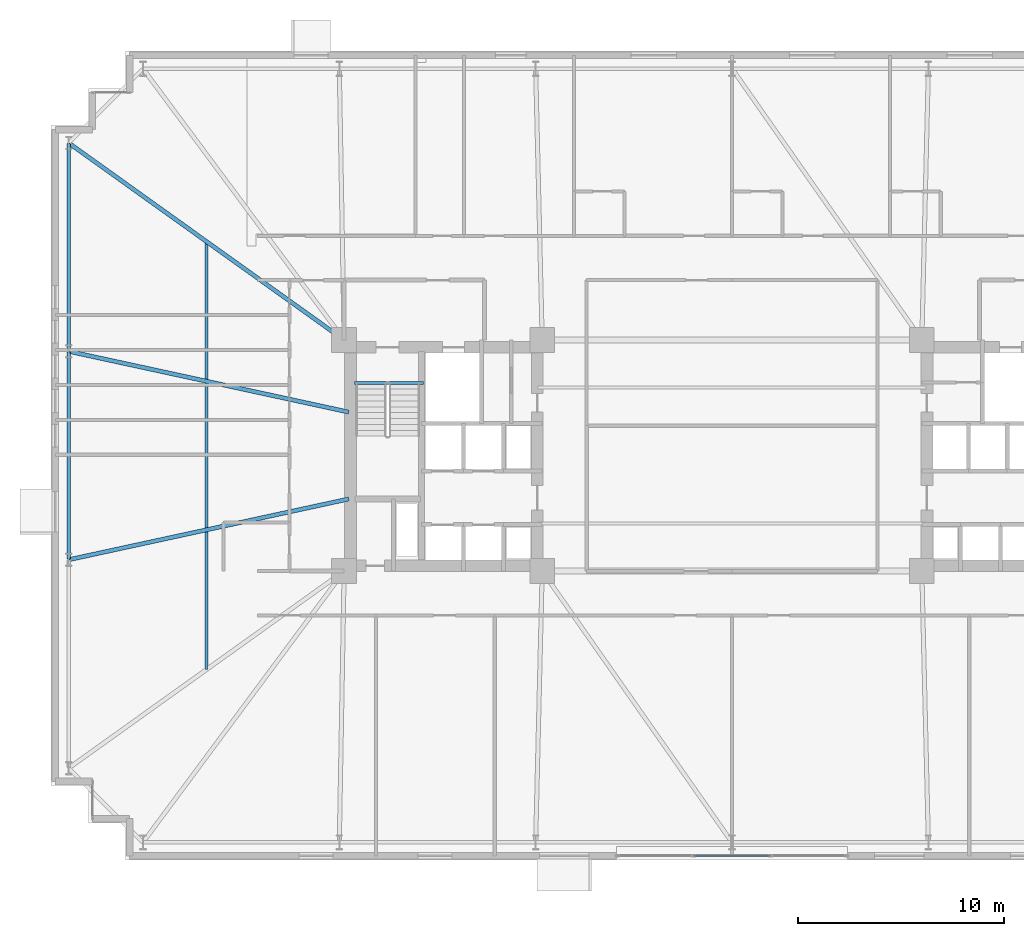
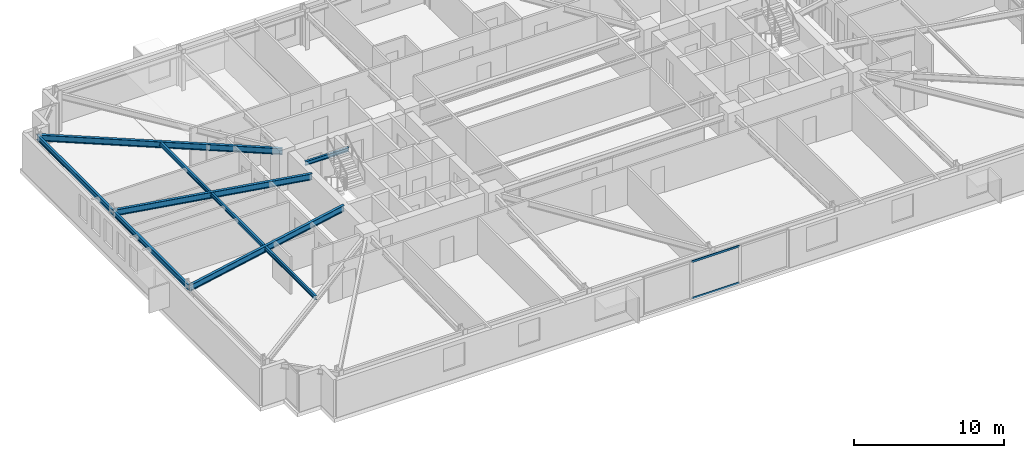
# One storey, part 7 of 26: 7 beams, 2 members, 1 element without a shape of its own.
"""IFC4 building model written with IfcOpenShell, lengths in metres."""

from ifc_helpers import new_model, si_unit, direction, frame, origin, origin_2d, place, context, subcontext, project, spatial, hollow_rectangle, i_section, extrude, material, layer, layer_set, material_profile, profile_set, type_object, element, aggregate, save


model = new_model("IFC4")

# Units and contexts
model_context = context("Model", 3, precision=1e-05, world=origin(), true_north=direction((0.0, 1.0)))
body_context = subcontext(model_context, "Body", "Model", "MODEL_VIEW")
ifc_project = project(units=[si_unit("LENGTHUNIT", "METRE"), si_unit("AREAUNIT", "SQUARE_METRE"), si_unit("VOLUMEUNIT", "CUBIC_METRE"), si_unit("PLANEANGLEUNIT", "RADIAN"), si_unit("MASSUNIT", "GRAM", prefix="KILO")], contexts=[model_context])

# Site, building, storey
site_placement = place(None, origin())
site = spatial("IfcSite", under=ifc_project, at=site_placement, CompositionType="ELEMENT")
building_placement = place(site_placement, origin())
building = spatial("IfcBuilding", under=site, at=building_placement, Name="Qobustan Lattice House", CompositionType="ELEMENT")
storey_placement = place(building_placement, frame((0.0, 0.0, 47.10009765625)))
storey = spatial("IfcBuildingStorey", under=building, at=storey_placement, Name="L12", CompositionType="ELEMENT", Elevation=47.10009765625)

# Beams
ifc_material_1 = material(Name="Steel S355", Category="steel")
ifc_material_profile_1 = material_profile(ifc_material_1, i_section(OverallWidth=0.199951171875, OverallDepth=0.5, WebThickness=0.01025390625, FlangeThickness=0.01611328125, FilletRadius=0.02099609375, at=origin_2d()), Name="IPE500")
ifc_profile_set_1 = profile_set([ifc_material_profile_1], Name="Steel S355")
beam_type_1 = type_object("IfcBeamType", Name="BM-FLG-IPE500", PredefinedType="USERDEFINED", material=ifc_profile_set_1)
beam_1_placement = place(storey_placement, frame((-32.129638671875, 15.135498046875, 2.784912109375), z_axis=(0.813318954893, -0.581818079481, 0.0), x_axis=(0.581818079481, 0.813318954893, 0.0)))
element("IfcBeam", 1, at=beam_1_placement, inside=storey, type_object=beam_type_1, Name="L12 primary floor girder RAD-W1", ObjectType="GIRDER", PredefinedType="USERDEFINED", context=body_context, shape_type="SweptSolid", body=[
    extrude(i_section(OverallWidth=0.199951171875, OverallDepth=0.5, WebThickness=0.01025390625, FlangeThickness=0.01611328125, FilletRadius=0.02099609375, at=origin_2d()), origin(), (0.0, 0.0, 1.0), 16.3642578125),
])
for number, where, z_axis, x_axis, name in (
    (2, (-32.12548828125, 5.044677734375, 2.784912109375), (0.97727240275, -0.211987383643, 0.0), (0.211987383643, 0.97727240275, 0.0), "L12 primary floor girder RAD-W2"),
    (3, (-32.12548828125, -5.044677734375, 2.784912109375), (0.97727240275, 0.211987383643, 0.0), (-0.211987383643, 0.97727240275, 0.0), "L12 primary floor girder RAD-W3"),
):
    element("IfcBeam", number, at=place(storey_placement, frame(where, z_axis=z_axis, x_axis=x_axis)), inside=storey, type_object=beam_type_1, Name=name, ObjectType="GIRDER", PredefinedType="USERDEFINED", context=body_context, shape_type="SweptSolid", body=[
        extrude(i_section(OverallWidth=0.199951171875, OverallDepth=0.5, WebThickness=0.01025390625, FlangeThickness=0.01611328125, FilletRadius=0.02099609375, at=origin_2d()), origin(), (0.0, 0.0, 1.0), 13.8662109375),
    ])
ifc_material_2 = material(Name="Steel S355", Category="steel")
ifc_material_profile_2 = material_profile(ifc_material_2, i_section(OverallWidth=0.159912109375, OverallDepth=0.330078125, WebThickness=0.007568359375, FlangeThickness=0.011474609375, FilletRadius=0.01806640625, at=origin_2d()), Name="IPE330")
ifc_profile_set_2 = profile_set([ifc_material_profile_2], Name="Steel S355")
beam_type_2 = type_object("IfcBeamType", Name="BM-SEC-IPE330", PredefinedType="BEAM", material=ifc_profile_set_2)
beam_2_placement = place(storey_placement, frame((-25.47509765625, 10.375, 2.869873046875), z_axis=(0.0, -1.0, 0.0), x_axis=(1.0, 0.0, 0.0)))
element("IfcBeam", 4, at=beam_2_placement, inside=storey, type_object=beam_type_2, Name="L12 west wing secondary beam", PredefinedType="BEAM", context=body_context, shape_type="SweptSolid", body=[
    extrude(i_section(OverallWidth=0.159912109375, OverallDepth=0.330078125, WebThickness=0.007568359375, FlangeThickness=0.011474609375, FilletRadius=0.01806640625, at=origin_2d()), origin(), (0.0, 0.0, 1.0), 20.75),
])
ifc_material_3 = material(Name="Steel S355", Category="steel")
ifc_material_profile_3 = material_profile(ifc_material_3, i_section(OverallWidth=0.159912109375, OverallDepth=0.330078125, WebThickness=0.007568359375, FlangeThickness=0.011474609375, FilletRadius=0.01806640625, at=origin_2d()), Name="IPE330")
ifc_profile_set_3 = profile_set([ifc_material_profile_3], Name="Steel S355")
beam_type_3 = type_object("IfcBeamType", Name="BM-SPD-IPE330", PredefinedType="SPANDREL", material=ifc_profile_set_3)
beam_3_placement = place(storey_placement, frame((-18.300048828125, 3.52001953125, 2.869873046875), z_axis=(1.0, 0.0, 0.0), x_axis=(0.0, 1.0, 0.0)))
element("IfcBeam", 5, at=beam_3_placement, inside=storey, type_object=beam_type_3, Name="L12 west stair landing trimmer beam", PredefinedType="SPANDREL", context=body_context, shape_type="SweptSolid", body=[
    extrude(i_section(OverallWidth=0.159912109375, OverallDepth=0.330078125, WebThickness=0.007568359375, FlangeThickness=0.011474609375, FilletRadius=0.01806640625, at=origin_2d()), origin(), (0.0, 0.0, 1.0), 3.35009765625),
])
ifc_material_4 = material(Name="Steel S355", Category="steel")
ifc_material_profile_4 = material_profile(ifc_material_4, i_section(OverallWidth=0.179931640625, OverallDepth=0.39990234375, WebThickness=0.008544921875, FlangeThickness=0.013427734375, FilletRadius=0.02099609375, at=origin_2d()), Name="IPE400")
ifc_profile_set_4 = profile_set([ifc_material_profile_4], Name="Steel S355")
beam_type_4 = type_object("IfcBeamType", Name="BM-SPD-IPE400", PredefinedType="SPANDREL", material=ifc_profile_set_4)
beam_4_placement = place(storey_placement, frame((-32.14990234375, 15.125, 2.8349609375), z_axis=(0.0, -1.0, 0.0), x_axis=(1.0, 0.0, 0.0)))
element("IfcBeam", 6, at=beam_4_placement, inside=storey, type_object=beam_type_4, Name="L12 perimeter spandrel W1-W2", PredefinedType="SPANDREL", context=body_context, shape_type="SweptSolid", body=[
    extrude(i_section(OverallWidth=0.179931640625, OverallDepth=0.39990234375, WebThickness=0.008544921875, FlangeThickness=0.013427734375, FilletRadius=0.02099609375, at=origin_2d()), origin(), (0.0, 0.0, 1.0), 10.050048828125),
])
beam_5_placement = place(storey_placement, frame((-32.14990234375, 5.02490234375, 2.8349609375), z_axis=(0.0, -1.0, 0.0), x_axis=(1.0, 0.0, 0.0)))
element("IfcBeam", 7, at=beam_5_placement, inside=storey, type_object=beam_type_4, Name="L12 perimeter spandrel W2-W3", PredefinedType="SPANDREL", context=body_context, shape_type="SweptSolid", body=[
    extrude(i_section(OverallWidth=0.179931640625, OverallDepth=0.39990234375, WebThickness=0.008544921875, FlangeThickness=0.013427734375, FilletRadius=0.02099609375, at=origin_2d()), origin(), (0.0, 0.0, 1.0), 10.0498046875),
])

# Curtain wall, members
ifc_material_5 = material(Name="Anodised aluminium and low-E glazing", Category="aluminium")
ifc_layer = layer(ifc_material_5, 0.219970703125)
ifc_layer_set = layer_set([ifc_layer], Name="Anodised aluminium and low-E glazing")
curtain_wall_type = type_object("IfcCurtainWallType", Name="CW-IWN-01", PredefinedType="USERDEFINED", material=ifc_layer_set)
curtain_wall_placement = place(storey_placement, origin())
curtain_wall = element("IfcCurtainWall", 8, at=curtain_wall_placement, inside=storey, type_object=curtain_wall_type, Name="L12 IWAN-1 walnut-lined iwan curtain wall", ObjectType="CURTAIN WALL", PredefinedType="USERDEFINED")
ifc_material_6 = material(Name="Anodised aluminium EN AW-6063 T6", Category="aluminium")
ifc_material_profile_5 = material_profile(ifc_material_6, hollow_rectangle(XDim=0.06494140625, YDim=0.159912109375, WallThickness=0.00390625, at=origin_2d()), Name="CWT-160x65")
ifc_profile_set_5 = profile_set([ifc_material_profile_5], Name="Anodised aluminium EN AW-6063 T6")
member_type = type_object("IfcMemberType", Name="CWT-HOR-160", PredefinedType="USERDEFINED", material=ifc_profile_set_5)
member_1_placement = place(storey_placement, frame((1.82666015625, -19.39990234375, 0.032470703125), z_axis=(-1.0, 0.0, 0.0), x_axis=(0.0, -1.0, 0.0)))
member_1 = element("IfcMember", 9, at=member_1_placement, type_object=member_type, Name="CW-IW transom 2.1", ObjectType="TRANSOM", PredefinedType="USERDEFINED", context=body_context, shape_type="SweptSolid", body=[
    extrude(hollow_rectangle(XDim=0.06494140625, YDim=0.159912109375, WallThickness=0.00390625, at=origin_2d()), origin(), (0.0, 0.0, 1.0), 3.6533203125),
])
member_2_placement = place(storey_placement, frame((1.82666015625, -19.39990234375, 3.00244140625), z_axis=(-1.0, 0.0, 0.0), x_axis=(0.0, -1.0, 0.0)))
member_2 = element("IfcMember", 10, at=member_2_placement, type_object=member_type, Name="CW-IW transom 2.2", ObjectType="TRANSOM", PredefinedType="USERDEFINED", context=body_context, shape_type="SweptSolid", body=[
    extrude(hollow_rectangle(XDim=0.06494140625, YDim=0.159912109375, WallThickness=0.00390625, at=origin_2d()), origin(), (0.0, 0.0, 1.0), 3.6533203125),
])
aggregate(curtain_wall, [member_1, member_2])

save(model, "model.ifc")
